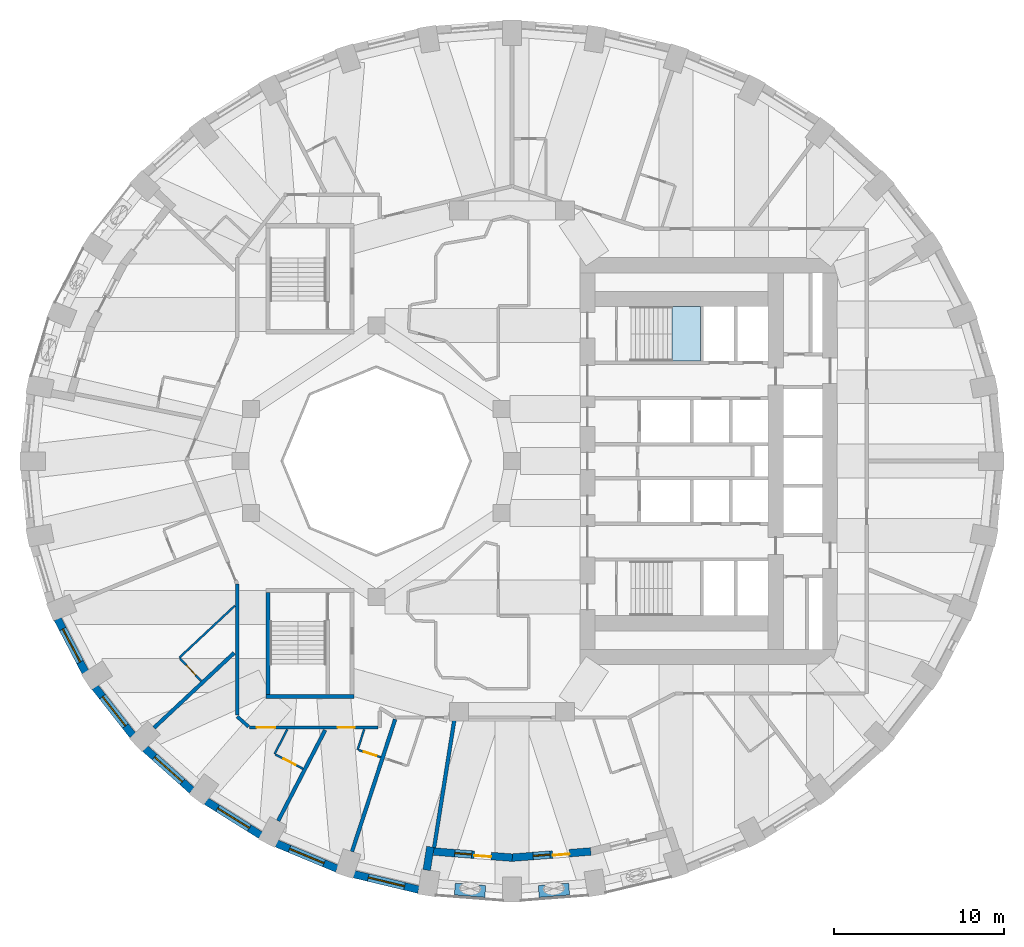
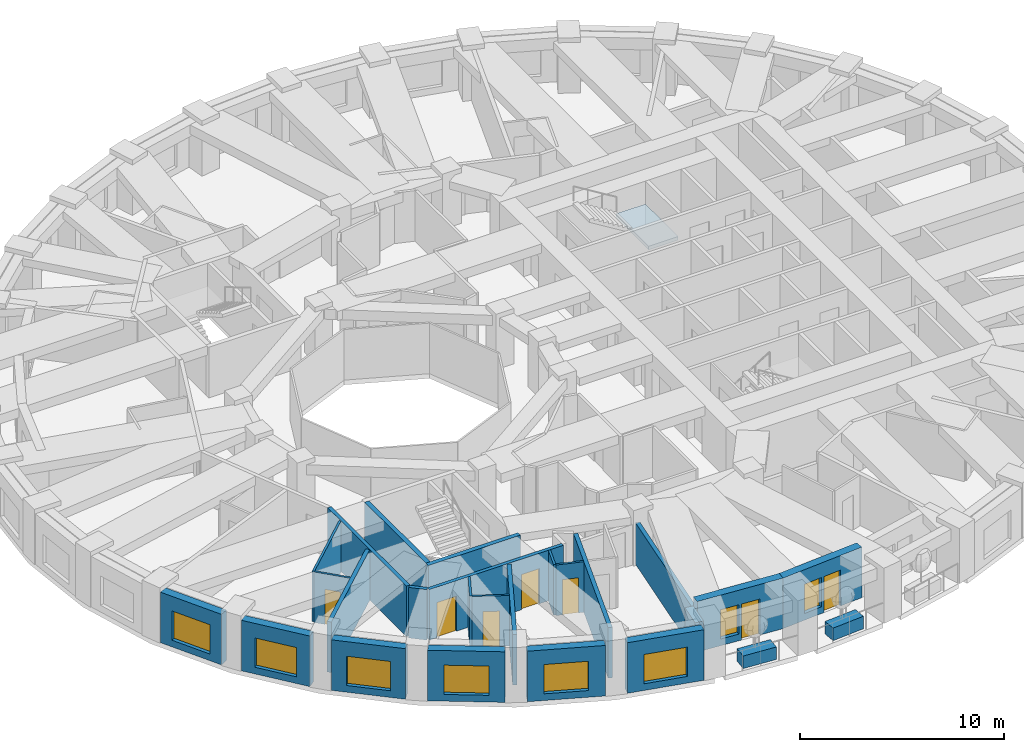
# One storey, part 3 of 13: 26 walls, 8 windows, 7 doors, 1 slab, 15 openings, 1 element without a shape of its own.
"""IFC4 building model written with IfcOpenShell, lengths in metres."""

from ifc_helpers import new_model, si_unit, direction, frame, frame_2d, origin, place, context, subcontext, project, spatial, polyline, rectangle, outline, extrude, material, layer, layer_set, constituent, constituent_set, type_object, element, fill, aggregate, save


model = new_model("IFC4")

# Units and contexts
model_context = context("Model", 3, precision=1e-05, world=origin(), true_north=direction((0.0, 1.0)))
body_context = subcontext(model_context, "Body", "Model", "MODEL_VIEW")
ifc_project = project(units=[si_unit("LENGTHUNIT", "METRE"), si_unit("AREAUNIT", "SQUARE_METRE"), si_unit("VOLUMEUNIT", "CUBIC_METRE"), si_unit("PLANEANGLEUNIT", "RADIAN"), si_unit("MASSUNIT", "GRAM", prefix="KILO")], contexts=[model_context])

# Site, building, storey
site_placement = place(None, origin())
site = spatial("IfcSite", under=ifc_project, at=site_placement, CompositionType="ELEMENT")
building_placement = place(site_placement, origin())
building = spatial("IfcBuilding", under=site, at=building_placement, Name="Taillehof Tower", CompositionType="ELEMENT")
storey_placement = place(building_placement, frame((0.0, 0.0, 71.199951171875)))
storey = spatial("IfcBuildingStorey", under=building, at=storey_placement, Name="L19", CompositionType="ELEMENT", Elevation=71.199951171875)

# Stair, slab
ifc_material_1 = material(Name="Concrete C40/50", Category="concrete")
stair_type = type_object("IfcStairType", Name="Exit stair half-turn", PredefinedType="HALF_TURN_STAIR", material=ifc_material_1)
stair_placement = place(storey_placement, origin())
stair = element("IfcStair", 1, at=stair_placement, inside=storey, type_object=stair_type, Name="Exit stair S1", PredefinedType="HALF_TURN_STAIR")
ifc_material_2 = material(Name="Concrete C40/50", Category="concrete")
ifc_layer_1 = layer(ifc_material_2, 0.2099609375)
ifc_layer_set_1 = layer_set([ifc_layer_1], Name="Stair landing C40/50 210")
slab_type = type_object("IfcSlabType", Name="Stair landing C40/50 210", PredefinedType="LANDING", material=ifc_layer_set_1)
slab_placement = place(storey_placement, frame((0.0, 0.0, 1.43994140625)))
slab = element("IfcSlab", 2, at=slab_placement, type_object=slab_type, Name="S1 landing 1", PredefinedType="LANDING", context=body_context, shape_type="SweptSolid", body=[
    extrude(outline(polyline([(9.429931640625, 5.89990234375), (11.10009765625, 5.89990234375), (11.10009765625, 9.10009765625), (9.429931640625, 9.10009765625), (9.429931640625, 5.89990234375)])), origin(), (0.0, 0.0, 1.0), 0.210205078125),
])
aggregate(stair, [slab])

# Wall, opening, window
ifc_material_3 = material(Name="Brick masonry", Category="masonry")
ifc_layer_2 = layer(ifc_material_3, 0.449951171875)
ifc_layer_set_2 = layer_set([ifc_layer_2], Name="Brick infill wall 450")
wall_type_1 = type_object("IfcWallType", Name="Brick infill wall 450", PredefinedType="SOLIDWALL", material=ifc_layer_set_2)
wall_1_placement = place(storey_placement, frame((-26.78564453125, -9.30517578125, 0.0), z_axis=(0.0, 0.0, 1.0), x_axis=(0.462492775226, -0.886623050041, 0.0)))
wall_1 = element("IfcWall", 3, at=wall_1_placement, inside=storey, type_object=wall_type_1, Name="Brick wall L19 bay 21", PredefinedType="SOLIDWALL", context=body_context, shape_type="SweptSolid", body=[
    extrude(rectangle(XDim=3.531982421875, YDim=0.449951171875, at=frame_2d((1.76611328125, 0.0))), origin(), (0.0, 0.0, 1.0), 3.02001953125),
])
opening_1_placement = place(wall_1_placement, frame((0.666015625, 0.0, 0.39990234375)))
opening_1 = element("IfcOpeningElement", 4, at=opening_1_placement, cuts=wall_1, Name="Opening W1", PredefinedType="OPENING", context=body_context, shape_type="SweptSolid", body=[
    extrude(rectangle(XDim=2.199951171875, YDim=1.75, at=frame_2d((1.10009765625, 0.875))), frame((0.0, 0.23486328125, 0.0), z_axis=(0.0, -1.0, 0.0), x_axis=(1.0, 0.0, 0.0)), (0.0, 0.0, 1.0), 0.469970703125),
])
ifc_material_4 = material(Name="Aluminium window frame with clear double glazing", Category="aluminium")
window_type_1 = type_object("IfcWindowType", Name="Deep-set window 2200x1750", PartitioningType="SINGLE_PANEL", PredefinedType="WINDOW", material=ifc_material_4)
window_1_placement = place(opening_1_placement, origin())
window_1 = element("IfcWindow", 5, at=window_1_placement, inside=storey, type_object=window_type_1, Name="W1", OverallHeight=1.75, OverallWidth=2.199951171875, PartitioningType="SINGLE_PANEL", PredefinedType="WINDOW", context=body_context, shape_type="SweptSolid", body=[
    extrude(rectangle(XDim=2.199951171875, YDim=1.75, at=frame_2d((1.10009765625, 0.875))), frame((0.0, 0.034912109375, 0.0), z_axis=(0.0, -1.0, 0.0), x_axis=(1.0, 0.0, 0.0)), (0.0, 0.0, 1.0), 0.06005859375),
])
fill(opening_1, window_1)

wall_2_placement = place(storey_placement, frame((-24.57763671875, -13.327880859375, 0.0), z_axis=(0.0, 0.0, 1.0), x_axis=(0.616661975264, -0.787228053529, 0.0)))
wall_2 = element("IfcWall", 6, at=wall_2_placement, inside=storey, type_object=wall_type_1, Name="Brick wall L19 bay 22", PredefinedType="SOLIDWALL", context=body_context, shape_type="SweptSolid", body=[
    extrude(rectangle(XDim=3.60986328125, YDim=0.449951171875, at=frame_2d((1.804931640625, 0.0))), origin(), (0.0, 0.0, 1.0), 3.02001953125),
])
opening_2_placement = place(wall_2_placement, frame((0.704833984375, 0.0, 0.39990234375)))
opening_2 = element("IfcOpeningElement", 7, at=opening_2_placement, cuts=wall_2, Name="Opening W1", PredefinedType="OPENING", context=body_context, shape_type="SweptSolid", body=[
    extrude(rectangle(XDim=2.199951171875, YDim=1.75, at=frame_2d((1.10009765625, 0.875))), frame((0.0, 0.23486328125, 0.0), z_axis=(0.0, -1.0, 0.0), x_axis=(1.0, 0.0, 0.0)), (0.0, 0.0, 1.0), 0.469970703125),
])
window_2_placement = place(opening_2_placement, origin())
window_2 = element("IfcWindow", 8, at=window_2_placement, inside=storey, type_object=window_type_1, Name="W1", OverallHeight=1.75, OverallWidth=2.199951171875, PartitioningType="SINGLE_PANEL", PredefinedType="WINDOW", context=body_context, shape_type="SweptSolid", body=[
    extrude(rectangle(XDim=2.199951171875, YDim=1.75, at=frame_2d((1.10009765625, 0.875))), frame((0.0, 0.034912109375, 0.0), z_axis=(0.0, -1.0, 0.0), x_axis=(1.0, 0.0, 0.0)), (0.0, 0.0, 1.0), 0.06005859375),
])
fill(opening_2, window_2)

wall_3_placement = place(storey_placement, frame((-21.626708984375, -16.943115234375, 0.0), z_axis=(0.0, 0.0, 1.0), x_axis=(0.745526233716, -0.66647628228, 0.0)))
wall_3 = element("IfcWall", 9, at=wall_3_placement, inside=storey, type_object=wall_type_1, Name="Brick wall L19 bay 23", PredefinedType="SOLIDWALL", context=body_context, shape_type="SweptSolid", body=[
    extrude(rectangle(XDim=3.69677734375, YDim=0.449951171875, at=frame_2d((1.848388671875, 0.0))), origin(), (0.0, 0.0, 1.0), 3.02001953125),
])
opening_3_placement = place(wall_3_placement, frame((0.74853515625, 0.0, 0.39990234375)))
opening_3 = element("IfcOpeningElement", 10, at=opening_3_placement, cuts=wall_3, Name="Opening W1", PredefinedType="OPENING", context=body_context, shape_type="SweptSolid", body=[
    extrude(rectangle(XDim=2.199951171875, YDim=1.75, at=frame_2d((1.10009765625, 0.875))), frame((0.0, 0.23486328125, 0.0), z_axis=(0.0, -1.0, 0.0), x_axis=(1.0, 0.0, 0.0)), (0.0, 0.0, 1.0), 0.469970703125),
])
window_3_placement = place(opening_3_placement, origin())
window_3 = element("IfcWindow", 11, at=window_3_placement, inside=storey, type_object=window_type_1, Name="W1", OverallHeight=1.75, OverallWidth=2.199951171875, PartitioningType="SINGLE_PANEL", PredefinedType="WINDOW", context=body_context, shape_type="SweptSolid", body=[
    extrude(rectangle(XDim=2.199951171875, YDim=1.75, at=frame_2d((1.10009765625, 0.875))), frame((0.0, 0.034912109375, 0.0), z_axis=(0.0, -1.0, 0.0), x_axis=(1.0, 0.0, 0.0)), (0.0, 0.0, 1.0), 0.06005859375),
])
fill(opening_3, window_3)

wall_4_placement = place(storey_placement, frame((-18.02294921875, -20.043701171875, 0.0), z_axis=(0.0, 0.0, 1.0), x_axis=(0.847635480093, -0.530579016629, 0.0)))
wall_4 = element("IfcWall", 12, at=wall_4_placement, inside=storey, type_object=wall_type_1, Name="Brick wall L19 bay 24", PredefinedType="SOLIDWALL", context=body_context, shape_type="SweptSolid", body=[
    extrude(rectangle(XDim=3.782470703125, YDim=0.449951171875, at=frame_2d((1.89111328125, 0.0))), origin(), (0.0, 0.0, 1.0), 3.02001953125),
])
opening_4_placement = place(wall_4_placement, frame((0.791259765625, 0.0, 0.39990234375)))
opening_4 = element("IfcOpeningElement", 13, at=opening_4_placement, cuts=wall_4, Name="Opening W1", PredefinedType="OPENING", context=body_context, shape_type="SweptSolid", body=[
    extrude(rectangle(XDim=2.199951171875, YDim=1.75, at=frame_2d((1.10009765625, 0.875))), frame((0.0, 0.23486328125, 0.0), z_axis=(0.0, -1.0, 0.0), x_axis=(1.0, 0.0, 0.0)), (0.0, 0.0, 1.0), 0.469970703125),
])
window_4_placement = place(opening_4_placement, origin())
window_4 = element("IfcWindow", 14, at=window_4_placement, inside=storey, type_object=window_type_1, Name="W1", OverallHeight=1.75, OverallWidth=2.199951171875, PartitioningType="SINGLE_PANEL", PredefinedType="WINDOW", context=body_context, shape_type="SweptSolid", body=[
    extrude(rectangle(XDim=2.199951171875, YDim=1.75, at=frame_2d((1.10009765625, 0.875))), frame((0.0, 0.034912109375, 0.0), z_axis=(0.0, -1.0, 0.0), x_axis=(1.0, 0.0, 0.0)), (0.0, 0.0, 1.0), 0.06005859375),
])
fill(opening_4, window_4)

wall_5_placement = place(storey_placement, frame((-13.875, -22.537353515625, 0.0), z_axis=(0.0, 0.0, 1.0), x_axis=(0.923031964282, -0.384723267966, 0.0)))
wall_5 = element("IfcWall", 15, at=wall_5_placement, inside=storey, type_object=wall_type_1, Name="Brick wall L19 bay 25", PredefinedType="SOLIDWALL", context=body_context, shape_type="SweptSolid", body=[
    extrude(rectangle(XDim=3.8564453125, YDim=0.449951171875, at=frame_2d((1.92822265625, 0.0))), origin(), (0.0, 0.0, 1.0), 3.02001953125),
])
opening_5_placement = place(wall_5_placement, frame((0.828125, 0.0, 0.39990234375)))
opening_5 = element("IfcOpeningElement", 16, at=opening_5_placement, cuts=wall_5, Name="Opening W1", PredefinedType="OPENING", context=body_context, shape_type="SweptSolid", body=[
    extrude(rectangle(XDim=2.199951171875, YDim=1.75, at=frame_2d((1.10009765625, 0.875))), frame((0.0, 0.23486328125, 0.0), z_axis=(0.0, -1.0, 0.0), x_axis=(1.0, 0.0, 0.0)), (0.0, 0.0, 1.0), 0.469970703125),
])
window_5_placement = place(opening_5_placement, origin())
window_5 = element("IfcWindow", 17, at=window_5_placement, inside=storey, type_object=window_type_1, Name="W1", OverallHeight=1.75, OverallWidth=2.199951171875, PartitioningType="SINGLE_PANEL", PredefinedType="WINDOW", context=body_context, shape_type="SweptSolid", body=[
    extrude(rectangle(XDim=2.199951171875, YDim=1.75, at=frame_2d((1.10009765625, 0.875))), frame((0.0, 0.034912109375, 0.0), z_axis=(0.0, -1.0, 0.0), x_axis=(1.0, 0.0, 0.0)), (0.0, 0.0, 1.0), 0.06005859375),
])
fill(opening_5, window_5)

wall_6_placement = place(storey_placement, frame((-9.3076171875, -24.349609375, 0.0), z_axis=(0.0, 0.0, 1.0), x_axis=(0.972496561493, -0.232917233979, 0.0)))
wall_6 = element("IfcWall", 18, at=wall_6_placement, inside=storey, type_object=wall_type_1, Name="Brick wall L19 bay 26", PredefinedType="SOLIDWALL", context=body_context, shape_type="SweptSolid", body=[
    extrude(rectangle(XDim=3.910888671875, YDim=0.449951171875, at=frame_2d((1.95556640625, 0.0))), origin(), (0.0, 0.0, 1.0), 3.02001953125),
])
opening_6_placement = place(wall_6_placement, frame((0.855224609375, 0.0, 0.39990234375)))
opening_6 = element("IfcOpeningElement", 19, at=opening_6_placement, cuts=wall_6, Name="Opening W1", PredefinedType="OPENING", context=body_context, shape_type="SweptSolid", body=[
    extrude(rectangle(XDim=2.199951171875, YDim=1.75, at=frame_2d((1.10009765625, 0.875))), frame((0.0, 0.23486328125, 0.0), z_axis=(0.0, -1.0, 0.0), x_axis=(1.0, 0.0, 0.0)), (0.0, 0.0, 1.0), 0.469970703125),
])
window_6_placement = place(opening_6_placement, origin())
window_6 = element("IfcWindow", 20, at=window_6_placement, inside=storey, type_object=window_type_1, Name="W1", OverallHeight=1.75, OverallWidth=2.199951171875, PartitioningType="SINGLE_PANEL", PredefinedType="WINDOW", context=body_context, shape_type="SweptSolid", body=[
    extrude(rectangle(XDim=2.199951171875, YDim=1.75, at=frame_2d((1.10009765625, 0.875))), frame((0.0, 0.034912109375, 0.0), z_axis=(0.0, -1.0, 0.0), x_axis=(1.0, 0.0, 0.0)), (0.0, 0.0, 1.0), 0.06005859375),
])
fill(opening_6, window_6)

# Wall
wall_7_placement = place(storey_placement, frame((-5.02685546875, -24.108154296875, 0.0), z_axis=(0.0, 0.0, 1.0), x_axis=(0.156133927791, 0.98773589415, 0.0)))
element("IfcWall", 21, at=wall_7_placement, inside=storey, type_object=wall_type_1, Name="Brick reveal L19 pocket 8", PredefinedType="SOLIDWALL", context=body_context, shape_type="SweptSolid", body=[
    extrude(rectangle(XDim=1.39013671875, YDim=0.449951171875, at=frame_2d((0.695068359375, 0.0))), origin(), (0.0, 0.0, 1.0), 2.469970703125),
])

# Wall, openings, door, window
wall_8_placement = place(storey_placement, frame((-4.625732421875, -23.011474609375, 0.0), z_axis=(0.0, 0.0, 1.0), x_axis=(0.996937095772, -0.078207589615, 0.0)))
wall_8 = element("IfcWall", 22, at=wall_8_placement, inside=storey, type_object=wall_type_1, Name="Brick wall L19 pocket bay 27", PredefinedType="SOLIDWALL", context=body_context, shape_type="SweptSolid", body=[
    extrude(rectangle(XDim=4.657470703125, YDim=0.449951171875, at=frame_2d((2.32861328125, 0.0))), origin(), (0.0, 0.0, 1.0), 3.02001953125),
])
opening_7_placement = place(wall_8_placement, frame((1.25390625, 0.0, 0.39990234375)))
opening_7 = element("IfcOpeningElement", 23, at=opening_7_placement, cuts=wall_8, Name="Opening W5", PredefinedType="OPENING", context=body_context, shape_type="SweptSolid", body=[
    extrude(rectangle(XDim=1.0, YDim=1.75, at=frame_2d((0.5, 0.875))), frame((0.0, 0.23486328125, 0.0), z_axis=(0.0, -1.0, 0.0), x_axis=(1.0, 0.0, 0.0)), (0.0, 0.0, 1.0), 0.469970703125),
])
opening_8_placement = place(wall_8_placement, frame((2.40380859375, 0.0, 0.0)))
opening_8 = element("IfcOpeningElement", 24, at=opening_8_placement, cuts=wall_8, Name="Opening D1991", PredefinedType="OPENING", context=body_context, shape_type="SweptSolid", body=[
    extrude(rectangle(XDim=1.0, YDim=2.14990234375, at=frame_2d((0.5, 1.074951171875))), frame((0.0, 0.23486328125, 0.0), z_axis=(0.0, -1.0, 0.0), x_axis=(1.0, 0.0, 0.0)), (0.0, 0.0, 1.0), 0.469970703125),
])
ifc_material_5 = material(Name="Aluminium door frame with clear double glazing", Category="aluminium")
door_type_1 = type_object("IfcDoorType", Name="Balcony door 1000x2150", OperationType="SINGLE_SWING_RIGHT", PredefinedType="DOOR", material=ifc_material_5)
door_1_placement = place(opening_8_placement, frame((1.0, 0.0, 0.0), z_axis=(0.0, 0.0, 1.0), x_axis=(-1.0, 0.0, 0.0)))
door_1 = element("IfcDoor", 25, at=door_1_placement, inside=storey, type_object=door_type_1, Name="Balcony door L19 bay 27", OperationType="SINGLE_SWING_RIGHT", OverallHeight=2.14990234375, OverallWidth=1.0, PredefinedType="DOOR", context=body_context, shape_type="SweptSolid", body=[
    extrude(rectangle(XDim=1.0, YDim=2.14990234375, at=frame_2d((0.5, 1.074951171875))), frame((0.0, 0.0751953125, 0.0), z_axis=(0.0, -1.0, 0.0), x_axis=(1.0, 0.0, 0.0)), (0.0, 0.0, 1.0), 0.050048828125),
])
fill(opening_8, door_1)
ifc_material_6 = material(Name="Aluminium window frame with clear double glazing", Category="aluminium")
window_type_2 = type_object("IfcWindowType", Name="Fixed window 1000x1750", PartitioningType="SINGLE_PANEL", PredefinedType="WINDOW", material=ifc_material_6)
window_7_placement = place(opening_7_placement, origin())
window_7 = element("IfcWindow", 26, at=window_7_placement, inside=storey, type_object=window_type_2, Name="W5", OverallHeight=1.75, OverallWidth=1.0, PartitioningType="SINGLE_PANEL", PredefinedType="WINDOW", context=body_context, shape_type="SweptSolid", body=[
    extrude(rectangle(XDim=1.0, YDim=1.75, at=frame_2d((0.5, 0.875))), frame((0.0, 0.034912109375, 0.0), z_axis=(0.0, -1.0, 0.0), x_axis=(1.0, 0.0, 0.0)), (0.0, 0.0, 1.0), 0.06005859375),
])
fill(opening_7, window_7)

wall_9_placement = place(storey_placement, frame((-0.017578125, -23.375732421875, 0.0), z_axis=(0.0, 0.0, 1.0), x_axis=(0.996935982964, 0.078221773648, 0.0)))
wall_9 = element("IfcWall", 27, at=wall_9_placement, inside=storey, type_object=wall_type_1, Name="Brick wall L19 pocket bay 28", PredefinedType="SOLIDWALL", context=body_context, shape_type="SweptSolid", body=[
    extrude(rectangle(XDim=4.675537109375, YDim=0.449951171875, at=frame_2d((2.337890625, 0.0))), origin(), (0.0, 0.0, 1.0), 3.02001953125),
])
opening_9_placement = place(wall_9_placement, frame((1.2626953125, 0.0, 0.39990234375)))
opening_9 = element("IfcOpeningElement", 28, at=opening_9_placement, cuts=wall_9, Name="Opening W5", PredefinedType="OPENING", context=body_context, shape_type="SweptSolid", body=[
    extrude(rectangle(XDim=1.0, YDim=1.75, at=frame_2d((0.5, 0.875))), frame((0.0, 0.23486328125, 0.0), z_axis=(0.0, -1.0, 0.0), x_axis=(1.0, 0.0, 0.0)), (0.0, 0.0, 1.0), 0.469970703125),
])
opening_10_placement = place(wall_9_placement, frame((2.41259765625, 0.0, 0.0)))
opening_10 = element("IfcOpeningElement", 29, at=opening_10_placement, cuts=wall_9, Name="Opening D1992", PredefinedType="OPENING", context=body_context, shape_type="SweptSolid", body=[
    extrude(rectangle(XDim=1.0, YDim=2.14990234375, at=frame_2d((0.5, 1.074951171875))), frame((0.0, 0.23486328125, 0.0), z_axis=(0.0, -1.0, 0.0), x_axis=(1.0, 0.0, 0.0)), (0.0, 0.0, 1.0), 0.469970703125),
])
door_2_placement = place(opening_10_placement, frame((1.0, 0.0, 0.0), z_axis=(0.0, 0.0, 1.0), x_axis=(-1.0, 0.0, 0.0)))
door_2 = element("IfcDoor", 30, at=door_2_placement, inside=storey, type_object=door_type_1, Name="Balcony door L19 bay 28", OperationType="SINGLE_SWING_LEFT", OverallHeight=2.14990234375, OverallWidth=1.0, PredefinedType="DOOR", context=body_context, shape_type="SweptSolid", body=[
    extrude(rectangle(XDim=1.0, YDim=2.14990234375, at=frame_2d((0.5, 1.074951171875))), frame((0.0, 0.0751953125, 0.0), z_axis=(0.0, -1.0, 0.0), x_axis=(1.0, 0.0, 0.0)), (0.0, 0.0, 1.0), 0.050048828125),
])
fill(opening_10, door_2)
window_8_placement = place(opening_9_placement, origin())
window_8 = element("IfcWindow", 31, at=window_8_placement, inside=storey, type_object=window_type_2, Name="W5", OverallHeight=1.75, OverallWidth=1.0, PartitioningType="SINGLE_PANEL", PredefinedType="WINDOW", context=body_context, shape_type="SweptSolid", body=[
    extrude(rectangle(XDim=1.0, YDim=1.75, at=frame_2d((0.5, 0.875))), frame((0.0, 0.034912109375, 0.0), z_axis=(0.0, -1.0, 0.0), x_axis=(1.0, 0.0, 0.0)), (0.0, 0.0, 1.0), 0.06005859375),
])
fill(opening_9, window_8)

# Wall, openings, doors
ifc_material_7 = material(Name="Gypsum board on steel studs, two layers each side", Category="steel")
ifc_layer_3 = layer(ifc_material_7, 0.199951171875)
ifc_layer_set_3 = layer_set([ifc_layer_3], Name="Compartment wall corridor 200")
wall_type_2 = type_object("IfcWallType", Name="Compartment wall corridor 200", PredefinedType="PARTITIONING", material=ifc_layer_set_3)
wall_10_placement = place(storey_placement, frame((-7.900146484375, -15.699951171875, 0.0), z_axis=(0.0, 0.0, 1.0), x_axis=(-1.0, 0.0, 0.0)))
wall_10 = element("IfcWall", 32, at=wall_10_placement, inside=storey, type_object=wall_type_2, Name="Compartment wall", PredefinedType="PARTITIONING", context=body_context, shape_type="SweptSolid", body=[
    extrude(rectangle(XDim=7.579833984375, YDim=0.199951171875, at=frame_2d((3.7900390625, 0.0))), origin(), (0.0, 0.0, 1.0), 3.02001953125),
])
opening_11_placement = place(wall_10_placement, frame((6.05419921875, 0.0, 0.0)))
opening_11 = element("IfcOpeningElement", 33, at=opening_11_placement, cuts=wall_10, Name="Opening D1954", PredefinedType="OPENING", context=body_context, shape_type="SweptSolid", body=[
    extrude(rectangle(XDim=1.10009765625, YDim=2.10009765625, at=frame_2d((0.550048828125, 1.050048828125))), frame((0.0, 0.10986328125, 0.0), z_axis=(0.0, -1.0, 0.0), x_axis=(1.0, 0.0, 0.0)), (0.0, 0.0, 1.0), 0.219970703125),
])
opening_12_placement = place(wall_10_placement, frame((1.376708984375, 0.0, 0.0)))
opening_12 = element("IfcOpeningElement", 34, at=opening_12_placement, cuts=wall_10, Name="Opening D1956", PredefinedType="OPENING", context=body_context, shape_type="SweptSolid", body=[
    extrude(rectangle(XDim=1.0, YDim=2.10009765625, at=frame_2d((0.5, 1.050048828125))), frame((0.0, 0.10986328125, 0.0), z_axis=(0.0, -1.0, 0.0), x_axis=(1.0, 0.0, 0.0)), (0.0, 0.0, 1.0), 0.219970703125),
])
ifc_material_8 = material(Name="Timber door leaf in steel frame", Category="steel")
door_type_2 = type_object("IfcDoorType", Name="Guest room door EI 30 1000 x 2100", OperationType="SINGLE_SWING_LEFT", PredefinedType="DOOR", material=ifc_material_8)
door_3_placement = place(opening_12_placement, origin())
door_3 = element("IfcDoor", 35, at=door_3_placement, inside=storey, type_object=door_type_2, Name="D1956", OperationType="SINGLE_SWING_LEFT", OverallHeight=2.10009765625, OverallWidth=1.0, PredefinedType="DOOR", context=body_context, shape_type="SweptSolid", body=[
    extrude(rectangle(XDim=1.0, YDim=2.10009765625, at=frame_2d((0.5, 1.050048828125))), frame((0.0, 0.02490234375, 0.0), z_axis=(0.0, -1.0, 0.0), x_axis=(1.0, 0.0, 0.0)), (0.0, 0.0, 1.0), 0.050048828125),
])
fill(opening_12, door_3)
ifc_material_9 = material(Name="Timber door leaf in steel frame", Category="steel")
door_type_3 = type_object("IfcDoorType", Name="Suite entrance door EI 30 1100 x 2100", OperationType="SINGLE_SWING_LEFT", PredefinedType="DOOR", material=ifc_material_9)
door_4_placement = place(opening_11_placement, origin())
door_4 = element("IfcDoor", 36, at=door_4_placement, inside=storey, type_object=door_type_3, Name="D1954", OperationType="SINGLE_SWING_LEFT", OverallHeight=2.10009765625, OverallWidth=1.10009765625, PredefinedType="DOOR", context=body_context, shape_type="SweptSolid", body=[
    extrude(rectangle(XDim=1.10009765625, YDim=2.10009765625, at=frame_2d((0.550048828125, 1.050048828125))), frame((0.0, 0.02490234375, 0.0), z_axis=(0.0, -1.0, 0.0), x_axis=(1.0, 0.0, 0.0)), (0.0, 0.0, 1.0), 0.050048828125),
])
fill(opening_11, door_4)

# Walls
wall_11_placement = place(storey_placement, frame((-15.524658203125, -15.65966796875, 0.0), z_axis=(0.0, 0.0, 1.0), x_axis=(-0.744684787626, 0.667416337138, 0.0)))
element("IfcWall", 37, at=wall_11_placement, inside=storey, type_object=wall_type_2, Name="Compartment wall", PredefinedType="PARTITIONING", context=body_context, shape_type="SweptSolid", body=[
    extrude(rectangle(XDim=0.90673828125, YDim=0.199951171875, at=frame_2d((0.453369140625, 0.0))), origin(), (0.0, 0.0, 1.0), 3.02001953125),
])
wall_12_placement = place(storey_placement, frame((-16.199951171875, -14.974365234375, 0.0), z_axis=(0.0, 0.0, 1.0), x_axis=(0.0, 1.0, 0.0)))
element("IfcWall", 38, at=wall_12_placement, inside=storey, type_object=wall_type_2, Name="Compartment wall", PredefinedType="PARTITIONING", context=body_context, shape_type="SweptSolid", body=[
    extrude(rectangle(XDim=7.716064453125, YDim=0.199951171875, at=frame_2d((3.85791015625, 0.0))), origin(), (0.0, 0.0, 1.0), 3.02001953125),
])
ifc_material_10 = material(Name="Gypsum board on double steel studs with mineral wool", Category="steel")
ifc_layer_4 = layer(ifc_material_10, 0.219970703125)
ifc_layer_set_4 = layer_set([ifc_layer_4], Name="Compartment wall guest room 220")
wall_type_3 = type_object("IfcWallType", Name="Compartment wall guest room 220", PredefinedType="PARTITIONING", material=ifc_layer_set_4)
wall_13_placement = place(storey_placement, frame((-21.09326171875, -15.7177734375, 0.0), z_axis=(0.0, 0.0, 1.0), x_axis=(0.730096357883, 0.68334420917, 0.0)))
element("IfcWall", 39, at=wall_13_placement, inside=storey, type_object=wall_type_3, Name="Compartment wall", PredefinedType="PARTITIONING", context=body_context, shape_type="SweptSolid", body=[
    extrude(rectangle(XDim=6.46484375, YDim=0.219970703125, at=frame_2d((3.232421875, 0.0))), origin(), (0.0, 0.0, 1.0), 3.02001953125),
])
wall_14_placement = place(storey_placement, frame((-13.7802734375, -21.201171875, 0.0), z_axis=(0.0, 0.0, 1.0), x_axis=(0.459689820266, 0.888079539875, 0.0)))
element("IfcWall", 40, at=wall_14_placement, inside=storey, type_object=wall_type_3, Name="Compartment wall", PredefinedType="PARTITIONING", context=body_context, shape_type="SweptSolid", body=[
    extrude(rectangle(XDim=6.021484375, YDim=0.219970703125, at=frame_2d((3.0107421875, 0.0))), origin(), (0.0, 0.0, 1.0), 3.02001953125),
])
wall_15_placement = place(storey_placement, frame((-9.429443359375, -23.01416015625, 0.0), z_axis=(0.0, 0.0, 1.0), x_axis=(0.310248090606, 0.950655627594, 0.0)))
element("IfcWall", 41, at=wall_15_placement, inside=storey, type_object=wall_type_3, Name="Compartment wall", PredefinedType="PARTITIONING", context=body_context, shape_type="SweptSolid", body=[
    extrude(rectangle(XDim=8.202880859375, YDim=0.219970703125, at=frame_2d((4.1015625, 0.0))), origin(), (0.0, 0.0, 1.0), 3.02001953125),
])
wall_16_placement = place(storey_placement, frame((-4.590576171875, -22.78857421875, 0.0), z_axis=(0.0, 0.0, 1.0), x_axis=(0.156151107863, 0.987733178299, 0.0)))
element("IfcWall", 42, at=wall_16_placement, inside=storey, type_object=wall_type_3, Name="Compartment wall", PredefinedType="PARTITIONING", context=body_context, shape_type="SweptSolid", body=[
    extrude(rectangle(XDim=7.64697265625, YDim=0.219970703125, at=frame_2d((3.823486328125, 0.0))), origin(), (0.0, 0.0, 1.0), 2.469970703125),
])
ifc_material_11 = material(Name="Gypsum board on steel studs, moisture resistant", Category="steel")
ifc_layer_5 = layer(ifc_material_11, 0.1201171875)
ifc_layer_set_5 = layer_set([ifc_layer_5], Name="En-suite wall 120")
wall_type_4 = type_object("IfcWallType", Name="En-suite wall 120", PredefinedType="PARTITIONING", material=ifc_layer_set_5)
wall_17_placement = place(storey_placement, frame((-16.329345703125, -8.519775390625, 0.0), z_axis=(0.0, 0.0, 1.0), x_axis=(-0.730102689118, -0.68333744471, 0.0)))
element("IfcWall", 43, at=wall_17_placement, inside=storey, type_object=wall_type_4, Name="En-suite wall", PredefinedType="PARTITIONING", context=body_context, shape_type="SweptSolid", body=[
    extrude(rectangle(XDim=4.494873046875, YDim=0.1201171875, at=frame_2d((2.24755859375, 0.0))), origin(), (0.0, 0.0, 1.0), 3.02001953125),
])
wall_18_placement = place(storey_placement, frame((-13.245849609375, -15.81787109375, 0.0), z_axis=(0.0, 0.0, 1.0), x_axis=(-0.459675202516, -0.888087106196, 0.0)))
element("IfcWall", 44, at=wall_18_placement, inside=storey, type_object=wall_type_4, Name="En-suite wall", PredefinedType="PARTITIONING", context=body_context, shape_type="SweptSolid", body=[
    extrude(rectangle(XDim=1.632080078125, YDim=0.1201171875, at=frame_2d((0.81591796875, 0.0))), origin(), (0.0, 0.0, 1.0), 3.02001953125),
])
wall_19_placement = place(storey_placement, frame((-8.7119140625, -15.819091796875, 0.0), z_axis=(0.0, 0.0, 1.0), x_axis=(-0.310322794195, -0.950631244702, 0.0)))
element("IfcWall", 45, at=wall_19_placement, inside=storey, type_object=wall_type_4, Name="En-suite wall", PredefinedType="PARTITIONING", context=body_context, shape_type="SweptSolid", body=[
    extrude(rectangle(XDim=1.254150390625, YDim=0.1201171875, at=frame_2d((0.626953125, 0.0))), origin(), (0.0, 0.0, 1.0), 3.02001953125),
])

# Wall, opening, door
wall_20_placement = place(storey_placement, frame((-19.570068359375, -11.635009765625, 0.0), z_axis=(0.0, 0.0, 1.0), x_axis=(0.683306289544, -0.730131847456, 0.0)))
wall_20 = element("IfcWall", 46, at=wall_20_placement, inside=storey, type_object=wall_type_4, Name="En-suite wall", PredefinedType="PARTITIONING", context=body_context, shape_type="SweptSolid", body=[
    extrude(rectangle(XDim=1.830078125, YDim=0.1201171875, at=frame_2d((0.9150390625, 0.0))), origin(), (0.0, 0.0, 1.0), 3.02001953125),
])
opening_13_placement = place(wall_20_placement, frame((0.540283203125, 0.0, 0.0)))
opening_13 = element("IfcOpeningElement", 47, at=opening_13_placement, cuts=wall_20, Name="Opening D1953", PredefinedType="OPENING", context=body_context, shape_type="SweptSolid", body=[
    extrude(rectangle(XDim=0.800048828125, YDim=2.10009765625, at=frame_2d((0.39990234375, 1.050048828125))), frame((0.0, 0.070068359375, 0.0), z_axis=(0.0, -1.0, 0.0), x_axis=(1.0, 0.0, 0.0)), (0.0, 0.0, 1.0), 0.14013671875),
])
ifc_material_12 = material(Name="Timber door leaf in steel frame", Category="steel")
door_type_4 = type_object("IfcDoorType", Name="En-suite door 800 x 2100", OperationType="SINGLE_SWING_LEFT", PredefinedType="DOOR", material=ifc_material_12)
door_5_placement = place(opening_13_placement, origin())
door_5 = element("IfcDoor", 48, at=door_5_placement, inside=storey, type_object=door_type_4, Name="D1953", OperationType="SINGLE_SWING_LEFT", OverallHeight=2.10009765625, OverallWidth=0.800048828125, PredefinedType="DOOR", context=body_context, shape_type="SweptSolid", body=[
    extrude(rectangle(XDim=0.800048828125, YDim=2.10009765625, at=frame_2d((0.39990234375, 1.050048828125))), frame((0.0, 0.02490234375, 0.0), z_axis=(0.0, -1.0, 0.0), x_axis=(1.0, 0.0, 0.0)), (0.0, 0.0, 1.0), 0.050048828125),
])
fill(opening_13, door_5)

wall_21_placement = place(storey_placement, frame((-13.94287109375, -17.294921875, 0.0), z_axis=(0.0, 0.0, 1.0), x_axis=(0.888151937069, -0.459549928387, 0.0)))
wall_21 = element("IfcWall", 49, at=wall_21_placement, inside=storey, type_object=wall_type_4, Name="En-suite wall", PredefinedType="PARTITIONING", context=body_context, shape_type="SweptSolid", body=[
    extrude(rectangle(XDim=1.830078125, YDim=0.1201171875, at=frame_2d((0.9150390625, 0.0))), origin(), (0.0, 0.0, 1.0), 3.02001953125),
])
opening_14_placement = place(wall_21_placement, frame((0.5400390625, 0.0, 0.0)))
opening_14 = element("IfcOpeningElement", 50, at=opening_14_placement, cuts=wall_21, Name="Opening D1955", PredefinedType="OPENING", context=body_context, shape_type="SweptSolid", body=[
    extrude(rectangle(XDim=0.800048828125, YDim=2.10009765625, at=frame_2d((0.39990234375, 1.050048828125))), frame((0.0, 0.070068359375, 0.0), z_axis=(0.0, -1.0, 0.0), x_axis=(1.0, 0.0, 0.0)), (0.0, 0.0, 1.0), 0.14013671875),
])
door_6_placement = place(opening_14_placement, origin())
door_6 = element("IfcDoor", 51, at=door_6_placement, inside=storey, type_object=door_type_4, Name="D1955", OperationType="SINGLE_SWING_LEFT", OverallHeight=2.10009765625, OverallWidth=0.800048828125, PredefinedType="DOOR", context=body_context, shape_type="SweptSolid", body=[
    extrude(rectangle(XDim=0.800048828125, YDim=2.10009765625, at=frame_2d((0.39990234375, 1.050048828125))), frame((0.0, 0.02490234375, 0.0), z_axis=(0.0, -1.0, 0.0), x_axis=(1.0, 0.0, 0.0)), (0.0, 0.0, 1.0), 0.050048828125),
])
fill(opening_14, door_6)

wall_22_placement = place(storey_placement, frame((-9.0439453125, -17.02978515625, 0.0), z_axis=(0.0, 0.0, 1.0), x_axis=(0.950645927723, -0.31027781117, 0.0)))
wall_22 = element("IfcWall", 52, at=wall_22_placement, inside=storey, type_object=wall_type_4, Name="En-suite wall", PredefinedType="PARTITIONING", context=body_context, shape_type="SweptSolid", body=[
    extrude(rectangle(XDim=1.380126953125, YDim=0.1201171875, at=frame_2d((0.68994140625, 0.0))), origin(), (0.0, 0.0, 1.0), 3.02001953125),
])
opening_15_placement = place(wall_22_placement, frame((0.31494140625, 0.0, 0.0)))
opening_15 = element("IfcOpeningElement", 53, at=opening_15_placement, cuts=wall_22, Name="Opening D1957", PredefinedType="OPENING", context=body_context, shape_type="SweptSolid", body=[
    extrude(rectangle(XDim=0.800048828125, YDim=2.10009765625, at=frame_2d((0.39990234375, 1.050048828125))), frame((0.0, 0.070068359375, 0.0), z_axis=(0.0, -1.0, 0.0), x_axis=(1.0, 0.0, 0.0)), (0.0, 0.0, 1.0), 0.14013671875),
])
door_7_placement = place(opening_15_placement, origin())
door_7 = element("IfcDoor", 54, at=door_7_placement, inside=storey, type_object=door_type_4, Name="D1957", OperationType="SINGLE_SWING_LEFT", OverallHeight=2.10009765625, OverallWidth=0.800048828125, PredefinedType="DOOR", context=body_context, shape_type="SweptSolid", body=[
    extrude(rectangle(XDim=0.800048828125, YDim=2.10009765625, at=frame_2d((0.39990234375, 1.050048828125))), frame((0.0, 0.02490234375, 0.0), z_axis=(0.0, -1.0, 0.0), x_axis=(1.0, 0.0, 0.0)), (0.0, 0.0, 1.0), 0.050048828125),
])
fill(opening_15, door_7)

# Walls
ifc_material_13 = material(Name="Concrete C30/37 precast", Category="concrete")
ifc_constituent_1 = constituent(ifc_material_13, Name="Structure", Category="concrete")
ifc_material_14 = material(Name="Insulated lining")
ifc_constituent_2 = constituent(ifc_material_14, Name="Lining")
ifc_constituent_set = constituent_set(constituents=[ifc_constituent_1, ifc_constituent_2], Name="Planter trough 700x750")
wall_type_5 = type_object("IfcWallType", Name="Planter trough 700x750", PredefinedType="USERDEFINED", material=ifc_constituent_set)
for number, where, z_axis, x_axis, name in (
    (55, (-3.368896484375, -25.22509765625, 0.0), (0.0, 0.0, 1.0), (0.996965267018, -0.077847648384, 0.0), "Planter L19 bay 27"),
    (56, (1.57421875, -25.365234375, 0.0), (0.0, 0.0, 1.0), (0.996965267018, 0.077847648384, 0.0), "Planter L19 bay 28"),
):
    element("IfcWall", number, at=place(storey_placement, frame(where, z_axis=z_axis, x_axis=x_axis)), inside=storey, type_object=wall_type_5, Name=name, ObjectType="PLANTER", PredefinedType="USERDEFINED", context=body_context, shape_type="SweptSolid", body=[
        extrude(rectangle(XDim=1.800048828125, YDim=0.699951171875, at=frame_2d((0.89990234375, 0.0))), origin(), (0.0, 0.0, 1.0), 0.75),
    ])
ifc_material_15 = material(Name="Concrete C50/60", Category="concrete")
ifc_layer_6 = layer(ifc_material_15, 0.25)
ifc_layer_set_6 = layer_set([ifc_layer_6], Name="Stair wall C50/60 250")
wall_type_6 = type_object("IfcWallType", Name="Stair wall C50/60 250", PredefinedType="SHEAR", material=ifc_layer_set_6)
wall_23_placement = place(storey_placement, frame((-14.375, -13.75, -0.280029296875), z_axis=(0.0, 0.0, 1.0), x_axis=(0.0, 1.0, 0.0)))
element("IfcWall", 57, at=wall_23_placement, inside=storey, type_object=wall_type_6, Name="Stair wall SC", PredefinedType="SHEAR", context=body_context, shape_type="SweptSolid", body=[
    extrude(rectangle(XDim=6.0, YDim=0.25, at=frame_2d((3.0, 0.0))), origin(), (0.0, 0.0, 1.0), 3.300048828125),
])
wall_24_placement = place(storey_placement, frame((-14.5, -13.875, -0.280029296875), z_axis=(0.0, 0.0, 1.0), x_axis=(1.0, 0.0, 0.0)))
element("IfcWall", 58, at=wall_24_placement, inside=storey, type_object=wall_type_6, Name="Stair wall SC", PredefinedType="SHEAR", context=body_context, shape_type="SweptSolid", body=[
    extrude(rectangle(XDim=5.199951171875, YDim=0.25, at=frame_2d((2.60009765625, 0.0))), origin(), (0.0, 0.0, 1.0), 3.300048828125),
])

save(model, "model.ifc")
